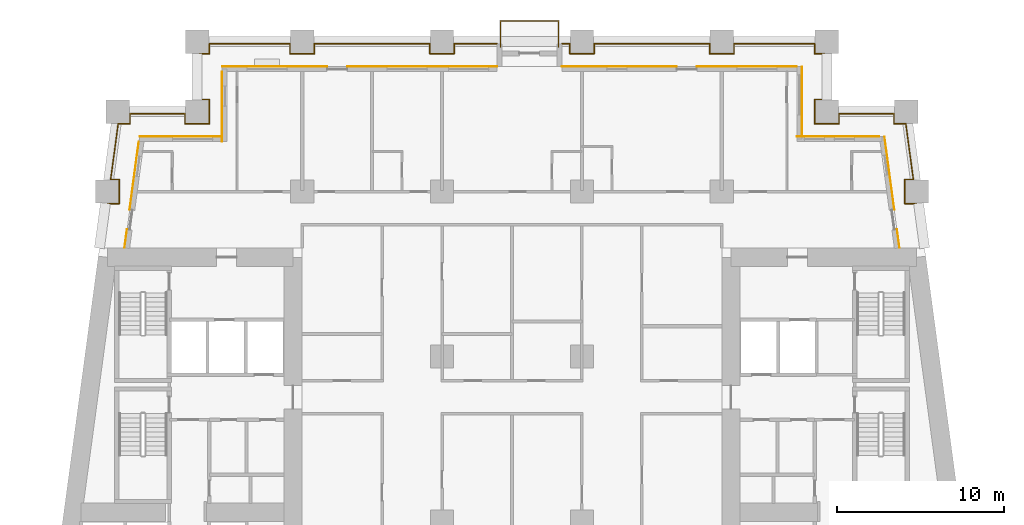
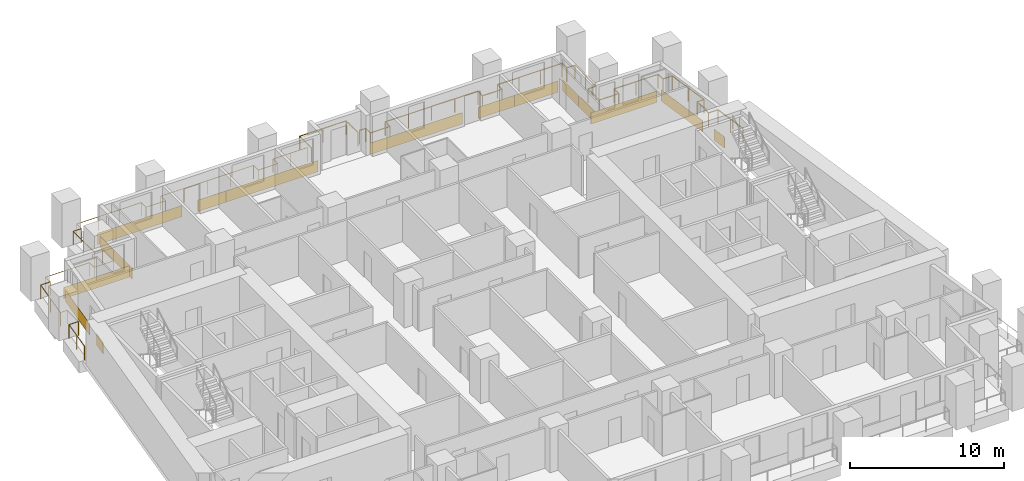
# One storey, part 12 of 13: 16 coverings, 3 railings.
"""IFC4 building model written with IfcOpenShell, lengths in metres."""

from ifc_helpers import new_model, si_unit, direction, frame, origin, origin_2d, place, context, subcontext, project, spatial, rectangle, circle, extrude, material, layer, layer_set, type_object, element, save


model = new_model("IFC4")

# Units and contexts
model_context = context("Model", 3, precision=1e-05, world=origin(), true_north=direction((0.0, 1.0)))
body_context = subcontext(model_context, "Body", "Model", "MODEL_VIEW")
ifc_project = project(units=[si_unit("LENGTHUNIT", "METRE"), si_unit("AREAUNIT", "SQUARE_METRE"), si_unit("VOLUMEUNIT", "CUBIC_METRE"), si_unit("PLANEANGLEUNIT", "RADIAN"), si_unit("MASSUNIT", "GRAM", prefix="KILO")], contexts=[model_context])

# Site, building, storey
site_placement = place(None, origin())
site = spatial("IfcSite", under=ifc_project, at=site_placement, CompositionType="ELEMENT")
building_placement = place(site_placement, origin())
building = spatial("IfcBuilding", under=site, at=building_placement, Name="Candeia Pilgrim Tower and Theatre", CompositionType="ELEMENT")
storey_placement = place(building_placement, frame((0.0, 0.0, 63.5)))
storey = spatial("IfcBuildingStorey", under=building, at=storey_placement, Name="L13", CompositionType="ELEMENT", Elevation=63.5)

# Railings
ifc_material_1 = material(Name="Stainless steel balustrade", Category="steel")
railing_type = type_object("IfcRailingType", Name="G1 loggia guard 1100", PredefinedType="GUARDRAIL", material=ifc_material_1)
railing_1_placement = place(storey_placement, frame((88.758544921875, 132.449951171875, 0.0)))
element("IfcRailing", 1, at=railing_1_placement, inside=storey, type_object=railing_type, Name="Guard L13.2", PredefinedType="GUARDRAIL", context=body_context, shape_type="SweptSolid", body=[
    extrude(circle(Radius=0.02392578125, at=origin_2d()), frame((0.0, 0.0, 1.076171875), z_axis=(0.133439920495, 0.991056904329, 0.0), x_axis=(-0.991056904329, 0.133439920495, 0.0)), (0.0, 0.0, 1.0), 2.643798828125),
    extrude(circle(Radius=0.02392578125, at=origin_2d()), frame((0.352783203125, 2.6201171875, 1.076171875), z_axis=(1.0, 0.0, 0.0), x_axis=(0.0, 1.0, 0.0)), (0.0, 0.0, 1.0), 0.70703125),
    extrude(circle(Radius=0.02392578125, at=origin_2d()), frame((1.059814453125, 2.6201171875, 1.076171875), z_axis=(0.0, 1.0, 0.0), x_axis=(-1.0, 0.0, 0.0)), (0.0, 0.0, 1.0), 1.4599609375),
    extrude(circle(Radius=0.02392578125, at=origin_2d()), frame((1.059814453125, 4.080078125, 1.076171875), z_axis=(-1.0, 0.0, 0.0), x_axis=(0.0, -1.0, 0.0)), (0.0, 0.0, 1.0), 0.510498046875),
    extrude(circle(Radius=0.02392578125, at=origin_2d()), frame((0.54931640625, 4.080078125, 1.076171875), z_axis=(0.133364121373, 0.991067107279, 0.0), x_axis=(-0.991067107279, 0.133364121373, 0.0)), (0.0, 0.0, 1.0), 3.3701171875),
    extrude(circle(Radius=0.02392578125, at=origin_2d()), frame((0.998779296875, 7.420166015625, 1.076171875), z_axis=(1.0, 0.0, 0.0), x_axis=(0.0, 1.0, 0.0)), (0.0, 0.0, 1.0), 0.707275390625),
    extrude(circle(Radius=0.02392578125, at=origin_2d()), frame((1.7060546875, 7.420166015625, 1.076171875), z_axis=(0.0, 1.0, 0.0), x_axis=(-1.0, 0.0, 0.0)), (0.0, 0.0, 1.0), 0.60986328125),
    extrude(circle(Radius=0.02392578125, at=origin_2d()), frame((1.7060546875, 8.030029296875, 1.076171875), z_axis=(1.0, 0.0, 0.0), x_axis=(0.0, 1.0, 0.0)), (0.0, 0.0, 1.0), 3.305419921875),
    extrude(circle(Radius=0.02392578125, at=origin_2d()), frame((5.011474609375, 8.030029296875, 1.076171875), z_axis=(0.0, -1.0, 0.0), x_axis=(1.0, 0.0, 0.0)), (0.0, 0.0, 1.0), 0.60986328125),
    extrude(circle(Radius=0.02392578125, at=origin_2d()), frame((5.011474609375, 7.420166015625, 1.076171875), z_axis=(1.0, 0.0, 0.0), x_axis=(0.0, 1.0, 0.0)), (0.0, 0.0, 1.0), 1.4599609375),
    extrude(circle(Radius=0.02392578125, at=origin_2d()), frame((6.471435546875, 7.420166015625, 1.076171875), z_axis=(0.0, 1.0, 0.0), x_axis=(-1.0, 0.0, 0.0)), (0.0, 0.0, 1.0), 1.4599609375),
    extrude(circle(Radius=0.02392578125, at=origin_2d()), frame((6.471435546875, 8.880126953125, 1.076171875), z_axis=(-1.0, 0.0, 0.0), x_axis=(0.0, -1.0, 0.0)), (0.0, 0.0, 1.0), 0.60986328125),
    extrude(circle(Radius=0.02392578125, at=origin_2d()), frame((5.861572265625, 8.880126953125, 1.076171875), z_axis=(0.0, 1.0, 0.0), x_axis=(-1.0, 0.0, 0.0)), (0.0, 0.0, 1.0), 2.739990234375),
    extrude(circle(Radius=0.02392578125, at=origin_2d()), frame((5.861572265625, 11.6201171875, 1.076171875), z_axis=(1.0, 0.0, 0.0), x_axis=(0.0, 1.0, 0.0)), (0.0, 0.0, 1.0), 0.60986328125),
    extrude(circle(Radius=0.02392578125, at=origin_2d()), frame((6.471435546875, 11.6201171875, 1.076171875), z_axis=(0.0, 1.0, 0.0), x_axis=(-1.0, 0.0, 0.0)), (0.0, 0.0, 1.0), 0.60986328125),
    extrude(circle(Radius=0.02392578125, at=origin_2d()), frame((6.471435546875, 12.22998046875, 1.076171875), z_axis=(1.0, 0.0, 0.0), x_axis=(0.0, 1.0, 0.0)), (0.0, 0.0, 1.0), 4.840087890625),
    extrude(circle(Radius=0.02392578125, at=origin_2d()), frame((11.3115234375, 12.22998046875, 1.076171875), z_axis=(0.0, -1.0, 0.0), x_axis=(1.0, 0.0, 0.0)), (0.0, 0.0, 1.0), 0.60986328125),
    extrude(circle(Radius=0.02392578125, at=origin_2d()), frame((11.3115234375, 11.6201171875, 1.076171875), z_axis=(1.0, 0.0, 0.0), x_axis=(0.0, 1.0, 0.0)), (0.0, 0.0, 1.0), 1.4599609375),
    extrude(circle(Radius=0.02392578125, at=origin_2d()), frame((12.771484375, 11.6201171875, 1.076171875), z_axis=(0.0, 1.0, 0.0), x_axis=(-1.0, 0.0, 0.0)), (0.0, 0.0, 1.0), 0.60986328125),
    extrude(circle(Radius=0.02392578125, at=origin_2d()), frame((12.771484375, 12.22998046875, 1.076171875), z_axis=(1.0, 0.0, 0.0), x_axis=(0.0, 1.0, 0.0)), (0.0, 0.0, 1.0), 6.93994140625),
    extrude(circle(Radius=0.02392578125, at=origin_2d()), frame((19.71142578125, 12.22998046875, 1.076171875), z_axis=(0.0, -1.0, 0.0), x_axis=(1.0, 0.0, 0.0)), (0.0, 0.0, 1.0), 0.60986328125),
    extrude(circle(Radius=0.02392578125, at=origin_2d()), frame((19.71142578125, 11.6201171875, 1.076171875), z_axis=(1.0, 0.0, 0.0), x_axis=(0.0, 1.0, 0.0)), (0.0, 0.0, 1.0), 1.4599609375),
    extrude(circle(Radius=0.02392578125, at=origin_2d()), frame((21.17138671875, 11.6201171875, 1.076171875), z_axis=(0.0, 1.0, 0.0), x_axis=(-1.0, 0.0, 0.0)), (0.0, 0.0, 1.0), 0.60986328125),
    extrude(circle(Radius=0.02392578125, at=origin_2d()), frame((21.17138671875, 12.22998046875, 1.076171875), z_axis=(1.0, 0.0, 0.0), x_axis=(0.0, 1.0, 0.0)), (0.0, 0.0, 1.0), 2.570068359375),
    extrude(circle(Radius=0.02099609375, at=origin_2d()), origin(), (0.0, 0.0, 1.0), 1.052001953125),
    extrude(circle(Radius=0.02099609375, at=origin_2d()), frame((0.17626953125, 1.31005859375, 0.0)), (0.0, 0.0, 1.0), 1.052001953125),
    extrude(circle(Radius=0.02099609375, at=origin_2d()), frame((0.352783203125, 2.6201171875, 0.0)), (0.0, 0.0, 1.0), 1.052001953125),
    extrude(circle(Radius=0.02099609375, at=origin_2d()), frame((1.059814453125, 2.6201171875, 0.0)), (0.0, 0.0, 1.0), 1.052001953125),
    extrude(circle(Radius=0.02099609375, at=origin_2d()), frame((1.059814453125, 4.080078125, 0.0)), (0.0, 0.0, 1.0), 1.052001953125),
    extrude(circle(Radius=0.02099609375, at=origin_2d()), frame((0.54931640625, 4.080078125, 0.0)), (0.0, 0.0, 1.0), 1.052001953125),
    extrude(circle(Radius=0.02099609375, at=origin_2d()), frame((0.77392578125, 5.75, 0.0)), (0.0, 0.0, 1.0), 1.052001953125),
    extrude(circle(Radius=0.02099609375, at=origin_2d()), frame((0.998779296875, 7.420166015625, 0.0)), (0.0, 0.0, 1.0), 1.052001953125),
    extrude(circle(Radius=0.02099609375, at=origin_2d()), frame((1.7060546875, 7.420166015625, 0.0)), (0.0, 0.0, 1.0), 1.052001953125),
    extrude(circle(Radius=0.02099609375, at=origin_2d()), frame((1.7060546875, 8.030029296875, 0.0)), (0.0, 0.0, 1.0), 1.052001953125),
    extrude(circle(Radius=0.02099609375, at=origin_2d()), frame((3.35888671875, 8.030029296875, 0.0)), (0.0, 0.0, 1.0), 1.052001953125),
    extrude(circle(Radius=0.02099609375, at=origin_2d()), frame((5.011474609375, 8.030029296875, 0.0)), (0.0, 0.0, 1.0), 1.052001953125),
    extrude(circle(Radius=0.02099609375, at=origin_2d()), frame((5.011474609375, 7.420166015625, 0.0)), (0.0, 0.0, 1.0), 1.052001953125),
    extrude(circle(Radius=0.02099609375, at=origin_2d()), frame((6.471435546875, 7.420166015625, 0.0)), (0.0, 0.0, 1.0), 1.052001953125),
    extrude(circle(Radius=0.02099609375, at=origin_2d()), frame((6.471435546875, 8.880126953125, 0.0)), (0.0, 0.0, 1.0), 1.052001953125),
    extrude(circle(Radius=0.02099609375, at=origin_2d()), frame((5.861572265625, 8.880126953125, 0.0)), (0.0, 0.0, 1.0), 1.052001953125),
    extrude(circle(Radius=0.02099609375, at=origin_2d()), frame((5.861572265625, 10.25, 0.0)), (0.0, 0.0, 1.0), 1.052001953125),
    extrude(circle(Radius=0.02099609375, at=origin_2d()), frame((5.861572265625, 11.6201171875, 0.0)), (0.0, 0.0, 1.0), 1.052001953125),
    extrude(circle(Radius=0.02099609375, at=origin_2d()), frame((6.471435546875, 11.6201171875, 0.0)), (0.0, 0.0, 1.0), 1.052001953125),
    extrude(circle(Radius=0.02099609375, at=origin_2d()), frame((6.471435546875, 12.22998046875, 0.0)), (0.0, 0.0, 1.0), 1.052001953125),
    extrude(circle(Radius=0.02099609375, at=origin_2d()), frame((8.084716796875, 12.22998046875, 0.0)), (0.0, 0.0, 1.0), 1.052001953125),
    extrude(circle(Radius=0.02099609375, at=origin_2d()), frame((9.6982421875, 12.22998046875, 0.0)), (0.0, 0.0, 1.0), 1.052001953125),
    extrude(circle(Radius=0.02099609375, at=origin_2d()), frame((11.3115234375, 12.22998046875, 0.0)), (0.0, 0.0, 1.0), 1.052001953125),
    extrude(circle(Radius=0.02099609375, at=origin_2d()), frame((11.3115234375, 11.6201171875, 0.0)), (0.0, 0.0, 1.0), 1.052001953125),
    extrude(circle(Radius=0.02099609375, at=origin_2d()), frame((12.771484375, 11.6201171875, 0.0)), (0.0, 0.0, 1.0), 1.052001953125),
    extrude(circle(Radius=0.02099609375, at=origin_2d()), frame((12.771484375, 12.22998046875, 0.0)), (0.0, 0.0, 1.0), 1.052001953125),
    extrude(circle(Radius=0.02099609375, at=origin_2d()), frame((14.50634765625, 12.22998046875, 0.0)), (0.0, 0.0, 1.0), 1.052001953125),
    extrude(circle(Radius=0.02099609375, at=origin_2d()), frame((16.241455078125, 12.22998046875, 0.0)), (0.0, 0.0, 1.0), 1.052001953125),
    extrude(circle(Radius=0.02099609375, at=origin_2d()), frame((17.9765625, 12.22998046875, 0.0)), (0.0, 0.0, 1.0), 1.052001953125),
    extrude(circle(Radius=0.02099609375, at=origin_2d()), frame((19.71142578125, 12.22998046875, 0.0)), (0.0, 0.0, 1.0), 1.052001953125),
    extrude(circle(Radius=0.02099609375, at=origin_2d()), frame((19.71142578125, 11.6201171875, 0.0)), (0.0, 0.0, 1.0), 1.052001953125),
    extrude(circle(Radius=0.02099609375, at=origin_2d()), frame((21.17138671875, 11.6201171875, 0.0)), (0.0, 0.0, 1.0), 1.052001953125),
    extrude(circle(Radius=0.02099609375, at=origin_2d()), frame((21.17138671875, 12.22998046875, 0.0)), (0.0, 0.0, 1.0), 1.052001953125),
    extrude(circle(Radius=0.02099609375, at=origin_2d()), frame((22.45654296875, 12.22998046875, 0.0)), (0.0, 0.0, 1.0), 1.052001953125),
    extrude(circle(Radius=0.02099609375, at=origin_2d()), frame((23.741455078125, 12.22998046875, 0.0)), (0.0, 0.0, 1.0), 1.052001953125),
])
railing_2_placement = place(storey_placement, frame((116.39990234375, 144.679931640625, 0.0)))
element("IfcRailing", 2, at=railing_2_placement, inside=storey, type_object=railing_type, Name="Guard L13.3", PredefinedType="GUARDRAIL", context=body_context, shape_type="SweptSolid", body=[
    extrude(circle(Radius=0.02392578125, at=origin_2d()), frame((0.0, 0.0, 1.076171875), z_axis=(1.0, 0.0, 0.0), x_axis=(0.0, 1.0, 0.0)), (0.0, 0.0, 1.0), 0.47021484375),
    extrude(circle(Radius=0.02392578125, at=origin_2d()), frame((0.47021484375, 0.0, 1.076171875), z_axis=(0.0, -1.0, 0.0), x_axis=(1.0, 0.0, 0.0)), (0.0, 0.0, 1.0), 0.60986328125),
    extrude(circle(Radius=0.02392578125, at=origin_2d()), frame((0.47021484375, -0.60986328125, 1.076171875), z_axis=(1.0, 0.0, 0.0), x_axis=(0.0, 1.0, 0.0)), (0.0, 0.0, 1.0), 1.4599609375),
    extrude(circle(Radius=0.02392578125, at=origin_2d()), frame((1.93017578125, -0.60986328125, 1.076171875), z_axis=(0.0, 1.0, 0.0), x_axis=(-1.0, 0.0, 0.0)), (0.0, 0.0, 1.0), 0.60986328125),
    extrude(circle(Radius=0.02392578125, at=origin_2d()), frame((1.93017578125, 0.0, 1.076171875), z_axis=(1.0, 0.0, 0.0), x_axis=(0.0, 1.0, 0.0)), (0.0, 0.0, 1.0), 6.93994140625),
    extrude(circle(Radius=0.02392578125, at=origin_2d()), frame((8.8701171875, 0.0, 1.076171875), z_axis=(0.0, -1.0, 0.0), x_axis=(1.0, 0.0, 0.0)), (0.0, 0.0, 1.0), 0.60986328125),
    extrude(circle(Radius=0.02392578125, at=origin_2d()), frame((8.8701171875, -0.60986328125, 1.076171875), z_axis=(1.0, 0.0, 0.0), x_axis=(0.0, 1.0, 0.0)), (0.0, 0.0, 1.0), 1.4599609375),
    extrude(circle(Radius=0.02392578125, at=origin_2d()), frame((10.330078125, -0.60986328125, 1.076171875), z_axis=(0.0, 1.0, 0.0), x_axis=(-1.0, 0.0, 0.0)), (0.0, 0.0, 1.0), 0.60986328125),
    extrude(circle(Radius=0.02392578125, at=origin_2d()), frame((10.330078125, 0.0, 1.076171875), z_axis=(1.0, 0.0, 0.0), x_axis=(0.0, 1.0, 0.0)), (0.0, 0.0, 1.0), 4.840087890625),
    extrude(circle(Radius=0.02392578125, at=origin_2d()), frame((15.170166015625, 0.0, 1.076171875), z_axis=(0.0, -1.0, 0.0), x_axis=(1.0, 0.0, 0.0)), (0.0, 0.0, 1.0), 0.60986328125),
    extrude(circle(Radius=0.02392578125, at=origin_2d()), frame((15.170166015625, -0.60986328125, 1.076171875), z_axis=(1.0, 0.0, 0.0), x_axis=(0.0, 1.0, 0.0)), (0.0, 0.0, 1.0), 0.60986328125),
    extrude(circle(Radius=0.02392578125, at=origin_2d()), frame((15.780029296875, -0.60986328125, 1.076171875), z_axis=(0.0, -1.0, 0.0), x_axis=(1.0, 0.0, 0.0)), (0.0, 0.0, 1.0), 2.739990234375),
    extrude(circle(Radius=0.02392578125, at=origin_2d()), frame((15.780029296875, -3.349853515625, 1.076171875), z_axis=(-1.0, 0.0, 0.0), x_axis=(0.0, -1.0, 0.0)), (0.0, 0.0, 1.0), 0.60986328125),
    extrude(circle(Radius=0.02392578125, at=origin_2d()), frame((15.170166015625, -3.349853515625, 1.076171875), z_axis=(0.0, -1.0, 0.0), x_axis=(1.0, 0.0, 0.0)), (0.0, 0.0, 1.0), 1.4599609375),
    extrude(circle(Radius=0.02392578125, at=origin_2d()), frame((15.170166015625, -4.809814453125, 1.076171875), z_axis=(1.0, 0.0, 0.0), x_axis=(0.0, 1.0, 0.0)), (0.0, 0.0, 1.0), 1.4599609375),
    extrude(circle(Radius=0.02392578125, at=origin_2d()), frame((16.630126953125, -4.809814453125, 1.076171875), z_axis=(0.0, 1.0, 0.0), x_axis=(-1.0, 0.0, 0.0)), (0.0, 0.0, 1.0), 0.60986328125),
    extrude(circle(Radius=0.02392578125, at=origin_2d()), frame((16.630126953125, -4.199951171875, 1.076171875), z_axis=(1.0, 0.0, 0.0), x_axis=(0.0, 1.0, 0.0)), (0.0, 0.0, 1.0), 3.305419921875),
    extrude(circle(Radius=0.02392578125, at=origin_2d()), frame((19.935546875, -4.199951171875, 1.076171875), z_axis=(0.0, -1.0, 0.0), x_axis=(1.0, 0.0, 0.0)), (0.0, 0.0, 1.0), 0.60986328125),
    extrude(circle(Radius=0.02392578125, at=origin_2d()), frame((19.935546875, -4.809814453125, 1.076171875), z_axis=(1.0, 0.0, 0.0), x_axis=(0.0, 1.0, 0.0)), (0.0, 0.0, 1.0), 0.70703125),
    extrude(circle(Radius=0.02392578125, at=origin_2d()), frame((20.642578125, -4.809814453125, 1.076171875), z_axis=(0.133435273035, -0.991057530071, 0.0), x_axis=(0.991057530071, 0.133435273035, 0.0)), (0.0, 0.0, 1.0), 3.3701171875),
    extrude(circle(Radius=0.02392578125, at=origin_2d()), frame((21.09228515625, -8.14990234375, 1.076171875), z_axis=(-1.0, 0.0, 0.0), x_axis=(0.0, -1.0, 0.0)), (0.0, 0.0, 1.0), 0.5107421875),
    extrude(circle(Radius=0.02392578125, at=origin_2d()), frame((20.58154296875, -8.14990234375, 1.076171875), z_axis=(0.0, -1.0, 0.0), x_axis=(1.0, 0.0, 0.0)), (0.0, 0.0, 1.0), 1.4599609375),
    extrude(circle(Radius=0.02392578125, at=origin_2d()), frame((20.58154296875, -9.60986328125, 1.076171875), z_axis=(1.0, 0.0, 0.0), x_axis=(0.0, 1.0, 0.0)), (0.0, 0.0, 1.0), 0.707275390625),
    extrude(circle(Radius=0.02392578125, at=origin_2d()), frame((21.288818359375, -9.60986328125, 1.076171875), z_axis=(0.133439920495, -0.991056904329, 0.0), x_axis=(0.991056904329, 0.133439920495, 0.0)), (0.0, 0.0, 1.0), 2.643798828125),
    extrude(circle(Radius=0.02099609375, at=origin_2d()), origin(), (0.0, 0.0, 1.0), 1.052001953125),
    extrude(circle(Radius=0.02099609375, at=origin_2d()), frame((0.47021484375, 0.0, 0.0)), (0.0, 0.0, 1.0), 1.052001953125),
    extrude(circle(Radius=0.02099609375, at=origin_2d()), frame((0.47021484375, -0.60986328125, 0.0)), (0.0, 0.0, 1.0), 1.052001953125),
    extrude(circle(Radius=0.02099609375, at=origin_2d()), frame((1.93017578125, -0.60986328125, 0.0)), (0.0, 0.0, 1.0), 1.052001953125),
    extrude(circle(Radius=0.02099609375, at=origin_2d()), frame((1.93017578125, 0.0, 0.0)), (0.0, 0.0, 1.0), 1.052001953125),
    extrude(circle(Radius=0.02099609375, at=origin_2d()), frame((3.6650390625, 0.0, 0.0)), (0.0, 0.0, 1.0), 1.052001953125),
    extrude(circle(Radius=0.02099609375, at=origin_2d()), frame((5.400146484375, 0.0, 0.0)), (0.0, 0.0, 1.0), 1.052001953125),
    extrude(circle(Radius=0.02099609375, at=origin_2d()), frame((7.13525390625, 0.0, 0.0)), (0.0, 0.0, 1.0), 1.052001953125),
    extrude(circle(Radius=0.02099609375, at=origin_2d()), frame((8.8701171875, 0.0, 0.0)), (0.0, 0.0, 1.0), 1.052001953125),
    extrude(circle(Radius=0.02099609375, at=origin_2d()), frame((8.8701171875, -0.60986328125, 0.0)), (0.0, 0.0, 1.0), 1.052001953125),
    extrude(circle(Radius=0.02099609375, at=origin_2d()), frame((10.330078125, -0.60986328125, 0.0)), (0.0, 0.0, 1.0), 1.052001953125),
    extrude(circle(Radius=0.02099609375, at=origin_2d()), frame((10.330078125, 0.0, 0.0)), (0.0, 0.0, 1.0), 1.052001953125),
    extrude(circle(Radius=0.02099609375, at=origin_2d()), frame((11.943359375, 0.0, 0.0)), (0.0, 0.0, 1.0), 1.052001953125),
    extrude(circle(Radius=0.02099609375, at=origin_2d()), frame((13.556884765625, 0.0, 0.0)), (0.0, 0.0, 1.0), 1.052001953125),
    extrude(circle(Radius=0.02099609375, at=origin_2d()), frame((15.170166015625, 0.0, 0.0)), (0.0, 0.0, 1.0), 1.052001953125),
    extrude(circle(Radius=0.02099609375, at=origin_2d()), frame((15.170166015625, -0.60986328125, 0.0)), (0.0, 0.0, 1.0), 1.052001953125),
    extrude(circle(Radius=0.02099609375, at=origin_2d()), frame((15.780029296875, -0.60986328125, 0.0)), (0.0, 0.0, 1.0), 1.052001953125),
    extrude(circle(Radius=0.02099609375, at=origin_2d()), frame((15.780029296875, -1.97998046875, 0.0)), (0.0, 0.0, 1.0), 1.052001953125),
    extrude(circle(Radius=0.02099609375, at=origin_2d()), frame((15.780029296875, -3.349853515625, 0.0)), (0.0, 0.0, 1.0), 1.052001953125),
    extrude(circle(Radius=0.02099609375, at=origin_2d()), frame((15.170166015625, -3.349853515625, 0.0)), (0.0, 0.0, 1.0), 1.052001953125),
    extrude(circle(Radius=0.02099609375, at=origin_2d()), frame((15.170166015625, -4.809814453125, 0.0)), (0.0, 0.0, 1.0), 1.052001953125),
    extrude(circle(Radius=0.02099609375, at=origin_2d()), frame((16.630126953125, -4.809814453125, 0.0)), (0.0, 0.0, 1.0), 1.052001953125),
    extrude(circle(Radius=0.02099609375, at=origin_2d()), frame((16.630126953125, -4.199951171875, 0.0)), (0.0, 0.0, 1.0), 1.052001953125),
    extrude(circle(Radius=0.02099609375, at=origin_2d()), frame((18.28271484375, -4.199951171875, 0.0)), (0.0, 0.0, 1.0), 1.052001953125),
    extrude(circle(Radius=0.02099609375, at=origin_2d()), frame((19.935546875, -4.199951171875, 0.0)), (0.0, 0.0, 1.0), 1.052001953125),
    extrude(circle(Radius=0.02099609375, at=origin_2d()), frame((19.935546875, -4.809814453125, 0.0)), (0.0, 0.0, 1.0), 1.052001953125),
    extrude(circle(Radius=0.02099609375, at=origin_2d()), frame((20.642578125, -4.809814453125, 0.0)), (0.0, 0.0, 1.0), 1.052001953125),
    extrude(circle(Radius=0.02099609375, at=origin_2d()), frame((20.867431640625, -6.47998046875, 0.0)), (0.0, 0.0, 1.0), 1.052001953125),
    extrude(circle(Radius=0.02099609375, at=origin_2d()), frame((21.09228515625, -8.14990234375, 0.0)), (0.0, 0.0, 1.0), 1.052001953125),
    extrude(circle(Radius=0.02099609375, at=origin_2d()), frame((20.58154296875, -8.14990234375, 0.0)), (0.0, 0.0, 1.0), 1.052001953125),
    extrude(circle(Radius=0.02099609375, at=origin_2d()), frame((20.58154296875, -9.60986328125, 0.0)), (0.0, 0.0, 1.0), 1.052001953125),
    extrude(circle(Radius=0.02099609375, at=origin_2d()), frame((21.288818359375, -9.60986328125, 0.0)), (0.0, 0.0, 1.0), 1.052001953125),
    extrude(circle(Radius=0.02099609375, at=origin_2d()), frame((21.46533203125, -10.919921875, 0.0)), (0.0, 0.0, 1.0), 1.052001953125),
    extrude(circle(Radius=0.02099609375, at=origin_2d()), frame((21.6416015625, -12.22998046875, 0.0)), (0.0, 0.0, 1.0), 1.052001953125),
])
railing_3_placement = place(storey_placement, frame((112.7099609375, 144.5, 0.0)))
element("IfcRailing", 3, at=railing_3_placement, inside=storey, type_object=railing_type, Name="Balcony guard L13", PredefinedType="GUARDRAIL", context=body_context, shape_type="SweptSolid", body=[
    extrude(circle(Radius=0.02392578125, at=origin_2d()), frame((0.0, 0.0, 1.076171875), z_axis=(0.0, 1.0, 0.0), x_axis=(-1.0, 0.0, 0.0)), (0.0, 0.0, 1.0), 1.5400390625),
    extrude(circle(Radius=0.02392578125, at=origin_2d()), frame((0.0, 1.5400390625, 1.076171875), z_axis=(1.0, 0.0, 0.0), x_axis=(0.0, 1.0, 0.0)), (0.0, 0.0, 1.0), 3.47998046875),
    extrude(circle(Radius=0.02392578125, at=origin_2d()), frame((3.47998046875, 1.5400390625, 1.076171875), z_axis=(0.0, -1.0, 0.0), x_axis=(1.0, 0.0, 0.0)), (0.0, 0.0, 1.0), 1.5400390625),
    extrude(circle(Radius=0.02099609375, at=origin_2d()), origin(), (0.0, 0.0, 1.0), 1.052001953125),
    extrude(circle(Radius=0.02099609375, at=origin_2d()), frame((0.0, 1.5400390625, 0.0)), (0.0, 0.0, 1.0), 1.052001953125),
    extrude(circle(Radius=0.02099609375, at=origin_2d()), frame((1.739990234375, 1.5400390625, 0.0)), (0.0, 0.0, 1.0), 1.052001953125),
    extrude(circle(Radius=0.02099609375, at=origin_2d()), frame((3.47998046875, 1.5400390625, 0.0)), (0.0, 0.0, 1.0), 1.052001953125),
    extrude(circle(Radius=0.02099609375, at=origin_2d()), frame((3.47998046875, 0.0, 0.0)), (0.0, 0.0, 1.0), 1.052001953125),
])

# Coverings
ifc_material_2 = material(Name="Glazed ceramic tile deep red")
ifc_layer_1 = layer(ifc_material_2, 0.02001953125)
ifc_layer_set_1 = layer_set([ifc_layer_1], Name="Glazed ceramic tile deep red")
covering_type_1 = type_object("IfcCoveringType", Name="Glazed ceramic tile deep red", PredefinedType="CLADDING", material=ifc_layer_set_1)
covering_1_placement = place(storey_placement, frame((132.976318359375, 139.110107421875, 0.0), z_axis=(0.0, 0.0, 1.0), x_axis=(-1.0, 0.0, 0.0)))
element("IfcCovering", 4, at=covering_1_placement, inside=storey, type_object=covering_type_1, Name="Tile cladding deep red L13", PredefinedType="CLADDING", context=body_context, shape_type="SweptSolid", body=[
    extrude(rectangle(XDim=4.95263671875, YDim=0.02001953125, at=origin_2d()), origin(), (0.0, 0.0, 1.0), 0.89990234375),
])
covering_2_placement = place(storey_placement, frame((130.81005859375, 142.25, 0.0), z_axis=(0.0, 0.0, 1.0), x_axis=(0.0, 1.0, 0.0)))
element("IfcCovering", 5, at=covering_2_placement, inside=storey, type_object=covering_type_1, Name="Tile cladding deep red L13", PredefinedType="CLADDING", context=body_context, shape_type="SweptSolid", body=[
    extrude(rectangle(XDim=2.10009765625, YDim=0.02001953125, at=origin_2d()), origin(), (0.0, 0.0, 1.0), 0.89990234375),
])
covering_3_placement = place(storey_placement, frame((128.840087890625, 143.31005859375, 0.0), z_axis=(0.0, 0.0, 1.0), x_axis=(-1.0, 0.0, 0.0)))
element("IfcCovering", 6, at=covering_3_placement, inside=storey, type_object=covering_type_1, Name="Tile cladding deep red L13", PredefinedType="CLADDING", context=body_context, shape_type="SweptSolid", body=[
    extrude(rectangle(XDim=3.280029296875, YDim=0.02001953125, at=origin_2d()), origin(), (0.0, 0.0, 1.0), 0.89990234375),
])
covering_4_placement = place(storey_placement, frame((104.550048828125, 143.31005859375, 0.0), z_axis=(0.0, 0.0, 1.0), x_axis=(-1.0, 0.0, 0.0)))
element("IfcCovering", 7, at=covering_4_placement, inside=storey, type_object=covering_type_1, Name="Tile cladding deep red L13", PredefinedType="CLADDING", context=body_context, shape_type="SweptSolid", body=[
    extrude(rectangle(XDim=2.10009765625, YDim=0.02001953125, at=origin_2d()), origin(), (0.0, 0.0, 1.0), 0.89990234375),
])
covering_5_placement = place(storey_placement, frame((99.14990234375, 143.31005859375, 0.0), z_axis=(0.0, 0.0, 1.0), x_axis=(-1.0, 0.0, 0.0)))
element("IfcCovering", 8, at=covering_5_placement, inside=storey, type_object=covering_type_1, Name="Tile cladding deep red L13", PredefinedType="CLADDING", context=body_context, shape_type="SweptSolid", body=[
    extrude(rectangle(XDim=6.300048828125, YDim=0.02001953125, at=origin_2d()), origin(), (0.0, 0.0, 1.0), 0.89990234375),
])
covering_6_placement = place(storey_placement, frame((95.989990234375, 142.090087890625, 0.0), z_axis=(0.0, 0.0, 1.0), x_axis=(0.0, -1.0, 0.0)))
element("IfcCovering", 9, at=covering_6_placement, inside=storey, type_object=covering_type_1, Name="Tile cladding deep red L13", PredefinedType="CLADDING", context=body_context, shape_type="SweptSolid", body=[
    extrude(rectangle(XDim=1.780029296875, YDim=0.02001953125, at=origin_2d()), origin(), (0.0, 0.0, 1.0), 0.89990234375),
])
covering_7_placement = place(storey_placement, frame((93.51318359375, 139.110107421875, 0.0), z_axis=(0.0, 0.0, 1.0), x_axis=(-1.0, 0.0, 0.0)))
element("IfcCovering", 10, at=covering_7_placement, inside=storey, type_object=covering_type_1, Name="Tile cladding deep red L13", PredefinedType="CLADDING", context=body_context, shape_type="SweptSolid", body=[
    extrude(rectangle(XDim=4.933837890625, YDim=0.02001953125, at=origin_2d()), origin(), (0.0, 0.0, 1.0), 0.89990234375),
])
ifc_material_3 = material(Name="Glazed ceramic tile red")
ifc_layer_2 = layer(ifc_material_3, 0.02001953125)
ifc_layer_set_2 = layer_set([ifc_layer_2], Name="Glazed ceramic tile red")
covering_type_2 = type_object("IfcCoveringType", Name="Glazed ceramic tile red", PredefinedType="CLADDING", material=ifc_layer_set_2)
covering_8_placement = place(storey_placement, frame((136.588623046875, 132.97412109375, 0.0), z_axis=(0.0, 0.0, 1.0), x_axis=(-0.133412012145, 0.991060661622, 0.0)))
element("IfcCovering", 11, at=covering_8_placement, inside=storey, type_object=covering_type_2, Name="Tile cladding red L13", PredefinedType="CLADDING", context=body_context, shape_type="SweptSolid", body=[
    extrude(rectangle(XDim=1.115234375, YDim=0.02001953125, at=origin_2d()), origin(), (0.0, 0.0, 1.0), 0.89990234375),
])
covering_9_placement = place(storey_placement, frame((136.058837890625, 136.90869140625, 0.0), z_axis=(0.0, 0.0, 1.0), x_axis=(-0.133412012145, 0.991060661622, 0.0)))
element("IfcCovering", 12, at=covering_9_placement, inside=storey, type_object=covering_type_2, Name="Tile cladding red L13", PredefinedType="CLADDING", context=body_context, shape_type="SweptSolid", body=[
    extrude(rectangle(XDim=4.4248046875, YDim=0.02001953125, at=origin_2d()), origin(), (0.0, 0.0, 1.0), 0.89990234375),
])
covering_10_placement = place(storey_placement, frame((130.81005859375, 140.159912109375, 0.0), z_axis=(0.0, 0.0, 1.0), x_axis=(0.0, 1.0, 0.0)))
element("IfcCovering", 13, at=covering_10_placement, inside=storey, type_object=covering_type_2, Name="Tile cladding red L13", PredefinedType="CLADDING", context=body_context, shape_type="SweptSolid", body=[
    extrude(rectangle(XDim=2.080078125, YDim=0.02001953125, at=origin_2d()), origin(), (0.0, 0.0, 1.0), 0.89990234375),
])
covering_11_placement = place(storey_placement, frame((125.85009765625, 143.31005859375, 0.0), z_axis=(0.0, 0.0, 1.0), x_axis=(-1.0, 0.0, 0.0)))
element("IfcCovering", 14, at=covering_11_placement, inside=storey, type_object=covering_type_2, Name="Tile cladding red L13", PredefinedType="CLADDING", context=body_context, shape_type="SweptSolid", body=[
    extrude(rectangle(XDim=2.699951171875, YDim=0.02001953125, at=origin_2d()), origin(), (0.0, 0.0, 1.0), 0.89990234375),
])
for number, where, z_axis, x_axis, name in (
    (15, (119.85009765625, 143.31005859375, 0.0), (0.0, 0.0, 1.0), (-1.0, 0.0, 0.0), "Tile cladding red L13"),
    (16, (109.050048828125, 143.31005859375, 0.0), (0.0, 0.0, 1.0), (-1.0, 0.0, 0.0), "Tile cladding red L13"),
):
    element("IfcCovering", number, at=place(storey_placement, frame(where, z_axis=z_axis, x_axis=x_axis)), inside=storey, type_object=covering_type_2, Name=name, PredefinedType="CLADDING", context=body_context, shape_type="SweptSolid", body=[
        extrude(rectangle(XDim=6.89990234375, YDim=0.02001953125, at=origin_2d()), origin(), (0.0, 0.0, 1.0), 0.89990234375),
    ])
covering_12_placement = place(storey_placement, frame((95.989990234375, 140.0, 0.0), z_axis=(0.0, 0.0, 1.0), x_axis=(0.0, -1.0, 0.0)))
element("IfcCovering", 17, at=covering_12_placement, inside=storey, type_object=covering_type_2, Name="Tile cladding red L13", PredefinedType="CLADDING", context=body_context, shape_type="SweptSolid", body=[
    extrude(rectangle(XDim=2.39990234375, YDim=0.02001953125, at=origin_2d()), origin(), (0.0, 0.0, 1.0), 0.89990234375),
])
covering_13_placement = place(storey_placement, frame((90.720947265625, 136.759521484375, 0.0), z_axis=(0.0, 0.0, 1.0), x_axis=(-0.133412012145, -0.991060661622, 0.0)))
element("IfcCovering", 18, at=covering_13_placement, inside=storey, type_object=covering_type_2, Name="Tile cladding red L13", PredefinedType="CLADDING", context=body_context, shape_type="SweptSolid", body=[
    extrude(rectangle(XDim=4.123779296875, YDim=0.02001953125, at=origin_2d()), origin(), (0.0, 0.0, 1.0), 0.89990234375),
])
covering_14_placement = place(storey_placement, frame((90.21142578125, 132.97412109375, 0.0), z_axis=(0.0, 0.0, 1.0), x_axis=(-0.133412012145, -0.991060661622, 0.0)))
element("IfcCovering", 19, at=covering_14_placement, inside=storey, type_object=covering_type_2, Name="Tile cladding red L13", PredefinedType="CLADDING", context=body_context, shape_type="SweptSolid", body=[
    extrude(rectangle(XDim=1.115234375, YDim=0.02001953125, at=origin_2d()), origin(), (0.0, 0.0, 1.0), 0.89990234375),
])

save(model, "model.ifc")
